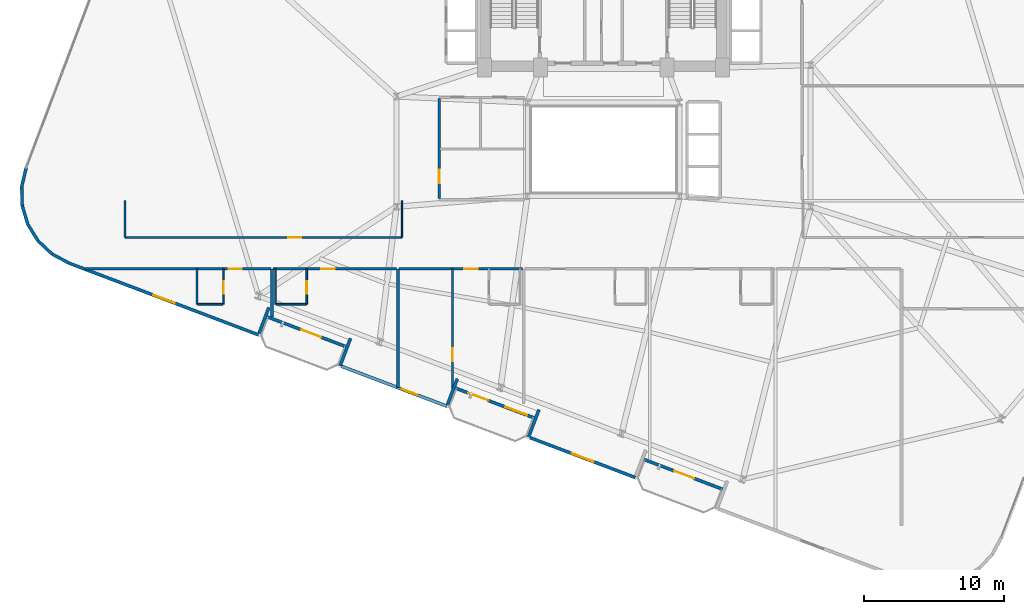
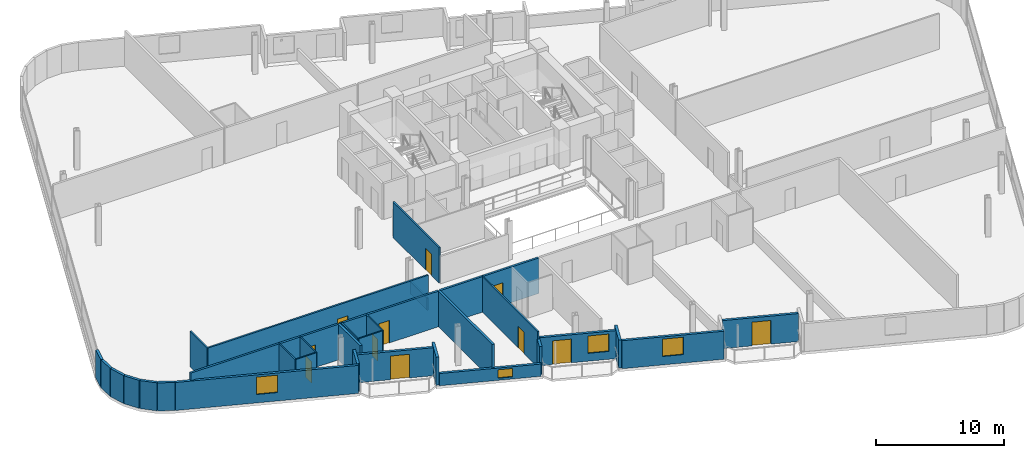
# One storey, part 18 of 25: 32 walls, 11 doors, 4 windows, 15 openings.
"""IFC4 building model written with IfcOpenShell, lengths in metres."""

from ifc_helpers import new_model, si_unit, direction, frame, frame_2d, origin, place, context, subcontext, project, spatial, rectangle, extrude, material, layer, layer_set, type_object, element, fill, save


model = new_model("IFC4")

# Units and contexts
model_context = context("Model", 3, precision=1e-05, world=origin(), true_north=direction((0.0, 1.0)))
body_context = subcontext(model_context, "Body", "Model", "MODEL_VIEW")
ifc_project = project(units=[si_unit("LENGTHUNIT", "METRE"), si_unit("AREAUNIT", "SQUARE_METRE"), si_unit("VOLUMEUNIT", "CUBIC_METRE"), si_unit("PLANEANGLEUNIT", "RADIAN"), si_unit("MASSUNIT", "GRAM", prefix="KILO")], contexts=[model_context])

# Site, building, storey
site_placement = place(None, origin())
site = spatial("IfcSite", under=ifc_project, at=site_placement, CompositionType="ELEMENT")
building_placement = place(site_placement, origin())
building = spatial("IfcBuilding", under=site, at=building_placement, Name="Varnelok Gate Tower", CompositionType="ELEMENT")
storey_placement = place(building_placement, frame((0.0, 0.0, 113.199951171875)))
storey = spatial("IfcBuildingStorey", under=building, at=storey_placement, Name="L28", CompositionType="ELEMENT", Elevation=113.199951171875)

# Wall, opening, door
ifc_material_1 = material(Name="Concrete C45/55", Category="concrete")
ifc_layer_1 = layer(ifc_material_1, 0.219970703125)
ifc_layer_set_1 = layer_set([ifc_layer_1], Name="Concrete C45/55")
wall_type_1 = type_object("IfcWallType", Name="EW-BALC-220", PredefinedType="SOLIDWALL", material=ifc_layer_set_1)
wall_1_placement = place(storey_placement, frame((20.766845703125, 8.80810546875, 0.0), z_axis=(0.0, 0.0, 1.0), x_axis=(-0.93521416643, 0.354082565101, 0.0)))
wall_1 = element("IfcWall", 1, at=wall_1_placement, inside=storey, type_object=wall_type_1, Name="L28 South Terrace Envelope Wall 1", PredefinedType="SOLIDWALL", context=body_context, shape_type="SweptSolid", body=[
    extrude(rectangle(XDim=6.0, YDim=0.219970703125, at=frame_2d((3.0, 0.0))), origin(), (0.0, 0.0, 1.0), 2.66015625),
])
opening_1_placement = place(wall_1_placement, frame((1.8798828125, 0.0, 0.0)))
opening_1 = element("IfcOpeningElement", 2, at=opening_1_placement, cuts=wall_1, Name="Opening BD-1", PredefinedType="OPENING", context=body_context, shape_type="SweptSolid", body=[
    extrude(rectangle(XDim=1.5, YDim=2.25, at=frame_2d((0.75, 1.125))), frame((0.0, 0.119873046875, 0.0), z_axis=(0.0, -1.0, 0.0), x_axis=(1.0, 0.0, 0.0)), (0.0, 0.0, 1.0), 0.239990234375),
])
ifc_material_2 = material(Name="Anodized Aluminum Alloy 6063-T6", Category="aluminium")
door_type_1 = type_object("IfcDoorType", Name="DR-EXT-BALC1500", OperationType="NOTDEFINED", PredefinedType="DOOR", material=ifc_material_2)
door_1_placement = place(opening_1_placement, origin())
door_1 = element("IfcDoor", 3, at=door_1_placement, inside=storey, type_object=door_type_1, Name="L28 South Balcony Glazed Door 1", OperationType="SINGLE_SWING_RIGHT", OverallHeight=2.25, OverallWidth=1.5, PredefinedType="DOOR", context=body_context, shape_type="SweptSolid", body=[
    extrude(rectangle(XDim=1.5, YDim=2.25, at=frame_2d((0.75, 1.125))), frame((0.0, 0.02490234375, 0.0), z_axis=(0.0, -1.0, 0.0), x_axis=(1.0, 0.0, 0.0)), (0.0, 0.0, 1.0), 0.050048828125),
])
fill(opening_1, door_1)

# Wall, openings, door, window
wall_2_placement = place(storey_placement, frame((34.23388671875, 3.709716796875, 0.0), z_axis=(0.0, 0.0, 1.0), x_axis=(-0.935222539288, 0.354060449652, 0.0)))
wall_2 = element("IfcWall", 4, at=wall_2_placement, inside=storey, type_object=wall_type_1, Name="L28 South Terrace Envelope Wall 2", PredefinedType="SOLIDWALL", context=body_context, shape_type="SweptSolid", body=[
    extrude(rectangle(XDim=5.999755859375, YDim=0.219970703125, at=frame_2d((3.0, 0.0))), origin(), (0.0, 0.0, 1.0), 2.66015625),
])
opening_2_placement = place(wall_2_placement, frame((3.508056640625, 0.0, 0.0)))
opening_2 = element("IfcOpeningElement", 5, at=opening_2_placement, cuts=wall_2, Name="Opening BD-1", PredefinedType="OPENING", context=body_context, shape_type="SweptSolid", body=[
    extrude(rectangle(XDim=1.5, YDim=2.25, at=frame_2d((0.75, 1.125))), frame((0.0, 0.119873046875, 0.0), z_axis=(0.0, -1.0, 0.0), x_axis=(1.0, 0.0, 0.0)), (0.0, 0.0, 1.0), 0.239990234375),
])
opening_3_placement = place(wall_2_placement, frame((0.550048828125, 0.0, 0.75)))
opening_3 = element("IfcOpeningElement", 6, at=opening_3_placement, cuts=wall_2, Name="Opening WN3", PredefinedType="OPENING", context=body_context, shape_type="SweptSolid", body=[
    extrude(rectangle(XDim=1.64990234375, YDim=1.64990234375, at=frame_2d((0.824951171875, 0.824951171875))), frame((0.0, 0.119873046875, 0.0), z_axis=(0.0, -1.0, 0.0), x_axis=(1.0, 0.0, 0.0)), (0.0, 0.0, 1.0), 0.239990234375),
])
door_2_placement = place(opening_2_placement, origin())
door_2 = element("IfcDoor", 7, at=door_2_placement, inside=storey, type_object=door_type_1, Name="L28 South Balcony Glazed Door 2", OperationType="SINGLE_SWING_LEFT", OverallHeight=2.25, OverallWidth=1.5, PredefinedType="DOOR", context=body_context, shape_type="SweptSolid", body=[
    extrude(rectangle(XDim=1.5, YDim=2.25, at=frame_2d((0.75, 1.125))), frame((0.0, 0.02490234375, 0.0), z_axis=(0.0, -1.0, 0.0), x_axis=(1.0, 0.0, 0.0)), (0.0, 0.0, 1.0), 0.050048828125),
])
fill(opening_2, door_2)
ifc_material_3 = material(Name="Low-E Laminated Double Glazing IGU", Category="glass")
window_type_1 = type_object("IfcWindowType", Name="WN-HTL-1650", PartitioningType="SINGLE_PANEL", PredefinedType="WINDOW", material=ifc_material_3)
window_1_placement = place(opening_3_placement, origin())
window_1 = element("IfcWindow", 8, at=window_1_placement, inside=storey, type_object=window_type_1, Name="L28 South Vision Window 2.1", OverallHeight=1.64990234375, OverallWidth=1.64990234375, PartitioningType="SINGLE_PANEL", PredefinedType="WINDOW", context=body_context, shape_type="SweptSolid", body=[
    extrude(rectangle(XDim=1.64990234375, YDim=1.64990234375, at=frame_2d((0.824951171875, 0.824951171875))), frame((0.0, 0.030029296875, 0.0), z_axis=(0.0, -1.0, 0.0), x_axis=(1.0, 0.0, 0.0)), (0.0, 0.0, 1.0), 0.06005859375),
])
fill(opening_3, window_1)

# Wall, opening, door
wall_3_placement = place(storey_placement, frame((47.701171875, -1.388916015625, 0.0), z_axis=(0.0, 0.0, 1.0), x_axis=(-0.93521416643, 0.354082565101, 0.0)))
wall_3 = element("IfcWall", 9, at=wall_3_placement, inside=storey, type_object=wall_type_1, Name="L28 South Terrace Envelope Wall 3", PredefinedType="SOLIDWALL", context=body_context, shape_type="SweptSolid", body=[
    extrude(rectangle(XDim=6.0, YDim=0.219970703125, at=frame_2d((3.0, 0.0))), origin(), (0.0, 0.0, 1.0), 2.66015625),
])
opening_4_placement = place(wall_3_placement, frame((2.176025390625, 0.0, 0.0)))
opening_4 = element("IfcOpeningElement", 10, at=opening_4_placement, cuts=wall_3, Name="Opening BD-1", PredefinedType="OPENING", context=body_context, shape_type="SweptSolid", body=[
    extrude(rectangle(XDim=1.5, YDim=2.25, at=frame_2d((0.75, 1.125))), frame((0.0, 0.119873046875, 0.0), z_axis=(0.0, -1.0, 0.0), x_axis=(1.0, 0.0, 0.0)), (0.0, 0.0, 1.0), 0.239990234375),
])
door_3_placement = place(opening_4_placement, origin())
door_3 = element("IfcDoor", 11, at=door_3_placement, inside=storey, type_object=door_type_1, Name="L28 South Balcony Glazed Door 3", OperationType="SINGLE_SWING_RIGHT", OverallHeight=2.25, OverallWidth=1.5, PredefinedType="DOOR", context=body_context, shape_type="SweptSolid", body=[
    extrude(rectangle(XDim=1.5, YDim=2.25, at=frame_2d((0.75, 1.125))), frame((0.0, 0.02490234375, 0.0), z_axis=(0.0, -1.0, 0.0), x_axis=(1.0, 0.0, 0.0)), (0.0, 0.0, 1.0), 0.050048828125),
])
fill(opening_4, door_3)

# Walls
wall_4_placement = place(storey_placement, frame((-2.072509765625, 21.571533203125, 0.0), z_axis=(0.0, 0.0, 1.0), x_axis=(-0.229049207401, -0.973414845063, 0.0)))
element("IfcWall", 12, at=wall_4_placement, inside=storey, type_object=wall_type_1, Name="L28 Perimeter Facade Closure Wall 1", PredefinedType="SOLIDWALL", context=body_context, shape_type="SweptSolid", body=[
    extrude(rectangle(XDim=1.378173828125, YDim=0.219970703125, at=frame_2d((0.68896484375, 0.0))), origin(), (0.0, 0.0, 1.0), 2.66015625),
])
wall_5_placement = place(storey_placement, frame((-2.387451171875, 20.205078125, 0.0), z_axis=(0.0, 0.0, 1.0), x_axis=(0.030857297317, -0.999523800218, 0.0)))
element("IfcWall", 13, at=wall_5_placement, inside=storey, type_object=wall_type_1, Name="L28 Perimeter Facade Closure Wall 2", PredefinedType="SOLIDWALL", context=body_context, shape_type="SweptSolid", body=[
    extrude(rectangle(XDim=1.35302734375, YDim=0.219970703125, at=frame_2d((0.676513671875, 0.0))), origin(), (0.0, 0.0, 1.0), 2.66015625),
])
wall_6_placement = place(storey_placement, frame((-2.33837890625, 18.82861328125, 0.0), z_axis=(0.0, 0.0, 1.0), x_axis=(0.288374187109, -0.957517795244, 0.0)))
element("IfcWall", 14, at=wall_6_placement, inside=storey, type_object=wall_type_1, Name="L28 Perimeter Facade Closure Wall 3", PredefinedType="SOLIDWALL", context=body_context, shape_type="SweptSolid", body=[
    extrude(rectangle(XDim=1.352783203125, YDim=0.219970703125, at=frame_2d((0.67626953125, 0.0))), origin(), (0.0, 0.0, 1.0), 2.66015625),
])
wall_7_placement = place(storey_placement, frame((-1.93505859375, 17.511962890625, 0.0), z_axis=(0.0, 0.0, 1.0), x_axis=(0.526360826676, -0.850261301096, 0.0)))
element("IfcWall", 15, at=wall_7_placement, inside=storey, type_object=wall_type_1, Name="L28 Perimeter Facade Closure Wall 4", PredefinedType="SOLIDWALL", context=body_context, shape_type="SweptSolid", body=[
    extrude(rectangle(XDim=1.35302734375, YDim=0.219970703125, at=frame_2d((0.676513671875, 0.0))), origin(), (0.0, 0.0, 1.0), 2.66015625),
])
wall_8_placement = place(storey_placement, frame((-1.20458984375, 16.344482421875, 0.0), z_axis=(0.0, 0.0, 1.0), x_axis=(0.7285124142, -0.685032599484, 0.0)))
element("IfcWall", 16, at=wall_8_placement, inside=storey, type_object=wall_type_1, Name="L28 Perimeter Facade Closure Wall 5", PredefinedType="SOLIDWALL", context=body_context, shape_type="SweptSolid", body=[
    extrude(rectangle(XDim=1.353271484375, YDim=0.219970703125, at=frame_2d((0.6767578125, 0.0))), origin(), (0.0, 0.0, 1.0), 2.66015625),
])
wall_9_placement = place(storey_placement, frame((-0.19677734375, 15.405517578125, 0.0), z_axis=(0.0, 0.0, 1.0), x_axis=(0.881023507585, -0.47307248819, 0.0)))
element("IfcWall", 17, at=wall_9_placement, inside=storey, type_object=wall_type_1, Name="L28 Perimeter Facade Closure Wall 6", PredefinedType="SOLIDWALL", context=body_context, shape_type="SweptSolid", body=[
    extrude(rectangle(XDim=1.36083984375, YDim=0.219970703125, at=frame_2d((0.680419921875, 0.0))), origin(), (0.0, 0.0, 1.0), 2.66015625),
])

# Wall, opening, window
wall_10_placement = place(storey_placement, frame((1.025634765625, 14.7529296875, 0.0), z_axis=(0.0, 0.0, 1.0), x_axis=(0.935222448475, -0.354060689526, 0.0)))
wall_10 = element("IfcWall", 18, at=wall_10_placement, inside=storey, type_object=wall_type_1, Name="L28 Perimeter Facade Closure Wall 7", PredefinedType="SOLIDWALL", context=body_context, shape_type="SweptSolid", body=[
    extrude(rectangle(XDim=14.447265625, YDim=0.219970703125, at=frame_2d((7.2236328125, 0.0))), origin(), (0.0, 0.0, 1.0), 2.66015625),
])
opening_5_placement = place(wall_10_placement, frame((6.398681640625, 0.0, 0.800048828125)))
opening_5 = element("IfcOpeningElement", 19, at=opening_5_placement, cuts=wall_10, Name="Opening WN3", PredefinedType="OPENING", context=body_context, shape_type="SweptSolid", body=[
    extrude(rectangle(XDim=1.64990234375, YDim=1.64990234375, at=frame_2d((0.824951171875, 0.824951171875))), frame((0.0, 0.119873046875, 0.0), z_axis=(0.0, -1.0, 0.0), x_axis=(1.0, 0.0, 0.0)), (0.0, 0.0, 1.0), 0.239990234375),
])
window_2_placement = place(opening_5_placement, origin())
window_2 = element("IfcWindow", 20, at=window_2_placement, inside=storey, type_object=window_type_1, Name="L28 Perimeter Vision Window 7", OverallHeight=1.64990234375, OverallWidth=1.64990234375, PartitioningType="SINGLE_PANEL", PredefinedType="WINDOW", context=body_context, shape_type="SweptSolid", body=[
    extrude(rectangle(XDim=1.64990234375, YDim=1.64990234375, at=frame_2d((0.824951171875, 0.824951171875))), frame((0.0, 0.030029296875, 0.0), z_axis=(0.0, -1.0, 0.0), x_axis=(1.0, 0.0, 0.0)), (0.0, 0.0, 1.0), 0.06005859375),
])
fill(opening_5, window_2)

# Walls
wall_11_placement = place(storey_placement, frame((14.581298828125, 9.754638671875, 0.0), z_axis=(0.0, 0.0, 1.0), x_axis=(0.354061611705, 0.935222099352, 0.0)))
element("IfcWall", 21, at=wall_11_placement, inside=storey, type_object=wall_type_1, Name="L28 Perimeter Facade Closure Wall 8", PredefinedType="SOLIDWALL", context=body_context, shape_type="SweptSolid", body=[
    extrude(rectangle(XDim=1.974853515625, YDim=0.219970703125, at=frame_2d((0.9873046875, 0.0))), origin(), (0.0, 0.0, 1.0), 2.66015625),
])
wall_12_placement = place(storey_placement, frame((21.1162109375, 9.392333984375, 0.0), z_axis=(0.0, 0.0, 1.0), x_axis=(-0.353988291547, -0.935249854022, 0.0)))
element("IfcWall", 22, at=wall_12_placement, inside=storey, type_object=wall_type_1, Name="L28 Perimeter Facade Closure Wall 9", PredefinedType="SOLIDWALL", context=body_context, shape_type="SweptSolid", body=[
    extrude(rectangle(XDim=2.10009765625, YDim=0.219970703125, at=frame_2d((1.050048828125, 0.0))), origin(), (0.0, 0.0, 1.0), 2.66015625),
])

# Wall, opening, window
wall_13_placement = place(storey_placement, frame((20.489501953125, 7.384033203125, 0.0), z_axis=(0.0, 0.0, 1.0), x_axis=(0.935230796934, -0.354038636968, 0.0)))
wall_13 = element("IfcWall", 23, at=wall_13_placement, inside=storey, type_object=wall_type_1, Name="L28 Perimeter Facade Closure Wall 10", PredefinedType="SOLIDWALL", context=body_context, shape_type="SweptSolid", body=[
    extrude(rectangle(XDim=8.03515625, YDim=0.219970703125, at=frame_2d((4.017578125, 0.0))), origin(), (0.0, 0.0, 1.0), 1.1650390625),
])
opening_6_placement = place(wall_13_placement, frame((4.62158203125, 0.0, 0.199951171875)))
opening_6 = element("IfcOpeningElement", 24, at=opening_6_placement, cuts=wall_13, Name="Opening WN9", PredefinedType="OPENING", context=body_context, shape_type="SweptSolid", body=[
    extrude(rectangle(XDim=1.14990234375, YDim=0.800048828125, at=frame_2d((0.574951171875, 0.39990234375))), frame((0.0, 0.119873046875, 0.0), z_axis=(0.0, -1.0, 0.0), x_axis=(1.0, 0.0, 0.0)), (0.0, 0.0, 1.0), 0.239990234375),
])
window_type_2 = type_object("IfcWindowType", Name="WN-CLER-1150", PartitioningType="SINGLE_PANEL", PredefinedType="WINDOW", material=ifc_material_3)
window_3_placement = place(opening_6_placement, origin())
window_3 = element("IfcWindow", 25, at=window_3_placement, inside=storey, type_object=window_type_2, Name="L28 Bedroom Vision Window 14", OverallHeight=0.800048828125, OverallWidth=1.14990234375, PartitioningType="SINGLE_PANEL", PredefinedType="WINDOW", context=body_context, shape_type="SweptSolid", body=[
    extrude(rectangle(XDim=1.14990234375, YDim=0.800048828125, at=frame_2d((0.574951171875, 0.39990234375))), frame((0.0, 0.030029296875, 0.0), z_axis=(0.0, -1.0, 0.0), x_axis=(1.0, 0.0, 0.0)), (0.0, 0.0, 1.0), 0.06005859375),
])
fill(opening_6, window_3)

# Walls
wall_14_placement = place(storey_placement, frame((28.04833984375, 4.656005859375, 0.0), z_axis=(0.0, 0.0, 1.0), x_axis=(0.354128791944, 0.935196663123, 0.0)))
element("IfcWall", 26, at=wall_14_placement, inside=storey, type_object=wall_type_1, Name="L28 Perimeter Facade Closure Wall 11", PredefinedType="SOLIDWALL", context=body_context, shape_type="SweptSolid", body=[
    extrude(rectangle(XDim=1.97509765625, YDim=0.219970703125, at=frame_2d((0.987548828125, 0.0))), origin(), (0.0, 0.0, 1.0), 2.66015625),
])
wall_15_placement = place(storey_placement, frame((34.58349609375, 4.293701171875, 0.0), z_axis=(0.0, 0.0, 1.0), x_axis=(-0.354128469405, -0.935196785258, 0.0)))
element("IfcWall", 27, at=wall_15_placement, inside=storey, type_object=wall_type_1, Name="L28 Perimeter Facade Closure Wall 12", PredefinedType="SOLIDWALL", context=body_context, shape_type="SweptSolid", body=[
    extrude(rectangle(XDim=2.099853515625, YDim=0.219970703125, at=frame_2d((1.0498046875, 0.0))), origin(), (0.0, 0.0, 1.0), 2.66015625),
])

# Wall, opening, window
wall_16_placement = place(storey_placement, frame((33.956787109375, 2.28564453125, 0.0), z_axis=(0.0, 0.0, 1.0), x_axis=(0.935220736163, -0.354065212427, 0.0)))
wall_16 = element("IfcWall", 28, at=wall_16_placement, inside=storey, type_object=wall_type_1, Name="L28 Perimeter Facade Closure Wall 13", PredefinedType="SOLIDWALL", context=body_context, shape_type="SweptSolid", body=[
    extrude(rectangle(XDim=8.03515625, YDim=0.219970703125, at=frame_2d((4.017578125, 0.0))), origin(), (0.0, 0.0, 1.0), 2.66015625),
])
opening_7_placement = place(wall_16_placement, frame((3.1923828125, 0.0, 0.800048828125)))
opening_7 = element("IfcOpeningElement", 29, at=opening_7_placement, cuts=wall_16, Name="Opening WN3", PredefinedType="OPENING", context=body_context, shape_type="SweptSolid", body=[
    extrude(rectangle(XDim=1.64990234375, YDim=1.64990234375, at=frame_2d((0.824951171875, 0.824951171875))), frame((0.0, 0.119873046875, 0.0), z_axis=(0.0, -1.0, 0.0), x_axis=(1.0, 0.0, 0.0)), (0.0, 0.0, 1.0), 0.239990234375),
])
window_4_placement = place(opening_7_placement, origin())
window_4 = element("IfcWindow", 30, at=window_4_placement, inside=storey, type_object=window_type_1, Name="L28 Perimeter Vision Window 13", OverallHeight=1.64990234375, OverallWidth=1.64990234375, PartitioningType="SINGLE_PANEL", PredefinedType="WINDOW", context=body_context, shape_type="SweptSolid", body=[
    extrude(rectangle(XDim=1.64990234375, YDim=1.64990234375, at=frame_2d((0.824951171875, 0.824951171875))), frame((0.0, 0.030029296875, 0.0), z_axis=(0.0, -1.0, 0.0), x_axis=(1.0, 0.0, 0.0)), (0.0, 0.0, 1.0), 0.06005859375),
])
fill(opening_7, window_4)

# Wall, opening, door
ifc_material_4 = material(Name="Gypsum Plasterboard Acoustic Partition", Category="gypsum")
ifc_layer_2 = layer(ifc_material_4, 0.179931640625)
ifc_layer_set_2 = layer_set([ifc_layer_2], Name="Gypsum Plasterboard Acoustic Partition")
wall_type_2 = type_object("IfcWallType", Name="PW-CORR-180", PredefinedType="PARTITIONING", material=ifc_layer_set_2)
wall_17_placement = place(storey_placement, frame((2.146240234375, 14.35009765625, 0.0), z_axis=(0.0, 0.0, 1.0), x_axis=(1.0, 0.0, 0.0)))
wall_17 = element("IfcWall", 31, at=wall_17_placement, inside=storey, type_object=wall_type_2, Name="Interior Partition", PredefinedType="PARTITIONING", context=body_context, shape_type="SweptSolid", body=[
    extrude(rectangle(XDim=13.273681640625, YDim=0.179931640625, at=frame_2d((6.63671875, 0.0))), origin(), (0.0, 0.0, 1.0), 3.380126953125),
])
opening_8_placement = place(wall_17_placement, frame((10.24951171875, 0.0, 0.0)))
opening_8 = element("IfcOpeningElement", 32, at=opening_8_placement, cuts=wall_17, Name="Opening D-HT", PredefinedType="OPENING", context=body_context, shape_type="SweptSolid", body=[
    extrude(rectangle(XDim=0.949951171875, YDim=2.14990234375, at=frame_2d((0.47509765625, 1.074951171875))), frame((0.0, 0.099853515625, 0.0), z_axis=(0.0, -1.0, 0.0), x_axis=(1.0, 0.0, 0.0)), (0.0, 0.0, 1.0), 0.199951171875),
])
ifc_material_5 = material(Name="Engineered Hardwood Timber", Category="wood")
door_type_2 = type_object("IfcDoorType", Name="DR-HTL-950", OperationType="NOTDEFINED", PredefinedType="DOOR", material=ifc_material_5)
door_4_placement = place(opening_8_placement, origin())
door_4 = element("IfcDoor", 33, at=door_4_placement, inside=storey, type_object=door_type_2, Name="L28 Guest Room 01 Entrance Door", OperationType="SINGLE_SWING_RIGHT", OverallHeight=2.14990234375, OverallWidth=0.949951171875, PredefinedType="DOOR", context=body_context, shape_type="SweptSolid", body=[
    extrude(rectangle(XDim=0.949951171875, YDim=2.14990234375, at=frame_2d((0.47509765625, 1.074951171875))), frame((0.0, 0.02490234375, 0.0), z_axis=(0.0, -1.0, 0.0), x_axis=(1.0, 0.0, 0.0)), (0.0, 0.0, 1.0), 0.050048828125),
])
fill(opening_8, door_4)

wall_18_placement = place(storey_placement, frame((15.580078125, 14.35009765625, 0.0), z_axis=(0.0, 0.0, 1.0), x_axis=(1.0, 0.0, 0.0)))
wall_18 = element("IfcWall", 34, at=wall_18_placement, inside=storey, type_object=wall_type_2, Name="Interior Partition", PredefinedType="PARTITIONING", context=body_context, shape_type="SweptSolid", body=[
    extrude(rectangle(XDim=8.83984375, YDim=0.179931640625, at=frame_2d((4.419921875, 0.0))), origin(), (0.0, 0.0, 1.0), 3.380126953125),
])
opening_9_placement = place(wall_18_placement, frame((3.453369140625, 0.0, 0.0)))
opening_9 = element("IfcOpeningElement", 35, at=opening_9_placement, cuts=wall_18, Name="Opening D-HT", PredefinedType="OPENING", context=body_context, shape_type="SweptSolid", body=[
    extrude(rectangle(XDim=0.949951171875, YDim=2.14990234375, at=frame_2d((0.47509765625, 1.074951171875))), frame((0.0, 0.099853515625, 0.0), z_axis=(0.0, -1.0, 0.0), x_axis=(1.0, 0.0, 0.0)), (0.0, 0.0, 1.0), 0.199951171875),
])
door_5_placement = place(opening_9_placement, origin())
door_5 = element("IfcDoor", 36, at=door_5_placement, inside=storey, type_object=door_type_2, Name="L28 Guest Room 02 Entrance Door", OperationType="SINGLE_SWING_LEFT", OverallHeight=2.14990234375, OverallWidth=0.949951171875, PredefinedType="DOOR", context=body_context, shape_type="SweptSolid", body=[
    extrude(rectangle(XDim=0.949951171875, YDim=2.14990234375, at=frame_2d((0.47509765625, 1.074951171875))), frame((0.0, 0.02490234375, 0.0), z_axis=(0.0, -1.0, 0.0), x_axis=(1.0, 0.0, 0.0)), (0.0, 0.0, 1.0), 0.050048828125),
])
fill(opening_9, door_5)

wall_19_placement = place(storey_placement, frame((24.580078125, 14.35009765625, 0.0), z_axis=(0.0, 0.0, 1.0), x_axis=(1.0, 0.0, 0.0)))
wall_19 = element("IfcWall", 37, at=wall_19_placement, inside=storey, type_object=wall_type_2, Name="Interior Partition", PredefinedType="PARTITIONING", context=body_context, shape_type="SweptSolid", body=[
    extrude(rectangle(XDim=8.83984375, YDim=0.179931640625, at=frame_2d((4.419921875, 0.0))), origin(), (0.0, 0.0, 1.0), 3.380126953125),
])
opening_10_placement = place(wall_19_placement, frame((4.679931640625, 0.0, 0.0)))
opening_10 = element("IfcOpeningElement", 38, at=opening_10_placement, cuts=wall_19, Name="Opening D-HT", PredefinedType="OPENING", context=body_context, shape_type="SweptSolid", body=[
    extrude(rectangle(XDim=0.949951171875, YDim=2.14990234375, at=frame_2d((0.47509765625, 1.074951171875))), frame((0.0, 0.099853515625, 0.0), z_axis=(0.0, -1.0, 0.0), x_axis=(1.0, 0.0, 0.0)), (0.0, 0.0, 1.0), 0.199951171875),
])
door_6_placement = place(opening_10_placement, origin())
door_6 = element("IfcDoor", 39, at=door_6_placement, inside=storey, type_object=door_type_2, Name="L28 Guest Room 03 Entrance Door", OperationType="SINGLE_SWING_RIGHT", OverallHeight=2.14990234375, OverallWidth=0.949951171875, PredefinedType="DOOR", context=body_context, shape_type="SweptSolid", body=[
    extrude(rectangle(XDim=0.949951171875, YDim=2.14990234375, at=frame_2d((0.47509765625, 1.074951171875))), frame((0.0, 0.02490234375, 0.0), z_axis=(0.0, -1.0, 0.0), x_axis=(1.0, 0.0, 0.0)), (0.0, 0.0, 1.0), 0.050048828125),
])
fill(opening_10, door_6)

# Wall
ifc_layer_3 = layer(ifc_material_4, 0.114990234375)
ifc_layer_set_3 = layer_set([ifc_layer_3], Name="Gypsum Plasterboard Acoustic Partition")
wall_type_3 = type_object("IfcWallType", Name="PW-ENS-125", PredefinedType="PARTITIONING", material=ifc_layer_set_3)
wall_20_placement = place(storey_placement, frame((10.179931640625, 11.830078125, 0.0), z_axis=(0.0, 0.0, 1.0), x_axis=(1.0, 0.0, 0.0)))
element("IfcWall", 40, at=wall_20_placement, inside=storey, type_object=wall_type_3, Name="Interior Partition", PredefinedType="PARTITIONING", context=body_context, shape_type="SweptSolid", body=[
    extrude(rectangle(XDim=1.807373046875, YDim=0.114990234375, at=frame_2d((0.90380859375, 0.0))), origin(), (0.0, 0.0, 1.0), 3.380126953125),
])

# Wall, opening, door
wall_21_placement = place(storey_placement, frame((12.027099609375, 11.830078125, 0.0), z_axis=(0.0, 0.0, 1.0), x_axis=(0.0, 1.0, 0.0)))
wall_21 = element("IfcWall", 41, at=wall_21_placement, inside=storey, type_object=wall_type_3, Name="Interior Partition", PredefinedType="PARTITIONING", context=body_context, shape_type="SweptSolid", body=[
    extrude(rectangle(XDim=2.52001953125, YDim=0.114990234375, at=frame_2d((1.260009765625, 0.0))), origin(), (0.0, 0.0, 1.0), 3.380126953125),
])
opening_11_placement = place(wall_21_placement, frame((0.760009765625, 0.0, 0.0)))
opening_11 = element("IfcOpeningElement", 42, at=opening_11_placement, cuts=wall_21, Name="Opening D-WC", PredefinedType="OPENING", context=body_context, shape_type="SweptSolid", body=[
    extrude(rectangle(XDim=0.89990234375, YDim=2.050048828125, at=frame_2d((0.449951171875, 1.02490234375))), frame((0.0, 0.0673828125, 0.0), z_axis=(0.0, -1.0, 0.0), x_axis=(1.0, 0.0, 0.0)), (0.0, 0.0, 1.0), 0.135009765625),
])
door_type_3 = type_object("IfcDoorType", Name="DR-BATH-900", OperationType="NOTDEFINED", PredefinedType="DOOR", material=ifc_material_5)
door_7_placement = place(opening_11_placement, origin())
door_7 = element("IfcDoor", 43, at=door_7_placement, inside=storey, type_object=door_type_3, Name="L28 Guest En-Suite 01 Door", OperationType="SINGLE_SWING_LEFT", OverallHeight=2.050048828125, OverallWidth=0.89990234375, PredefinedType="DOOR", context=body_context, shape_type="SweptSolid", body=[
    extrude(rectangle(XDim=0.89990234375, YDim=2.050048828125, at=frame_2d((0.449951171875, 1.02490234375))), frame((0.0, 0.02490234375, 0.0), z_axis=(0.0, -1.0, 0.0), x_axis=(1.0, 0.0, 0.0)), (0.0, 0.0, 1.0), 0.050048828125),
])
fill(opening_11, door_7)

# Walls
wall_22_placement = place(storey_placement, frame((10.139892578125, 11.830078125, 0.0), z_axis=(0.0, 0.0, 1.0), x_axis=(0.0, 1.0, 0.0)))
element("IfcWall", 44, at=wall_22_placement, inside=storey, type_object=wall_type_3, Name="Interior Partition", PredefinedType="PARTITIONING", context=body_context, shape_type="SweptSolid", body=[
    extrude(rectangle(XDim=2.52001953125, YDim=0.114990234375, at=frame_2d((1.260009765625, 0.0))), origin(), (0.0, 0.0, 1.0), 3.380126953125),
])
wall_23_placement = place(storey_placement, frame((15.800048828125, 11.830078125, 0.0), z_axis=(0.0, 0.0, 1.0), x_axis=(1.0, 0.0, 0.0)))
element("IfcWall", 45, at=wall_23_placement, inside=storey, type_object=wall_type_3, Name="Interior Partition", PredefinedType="PARTITIONING", context=body_context, shape_type="SweptSolid", body=[
    extrude(rectangle(XDim=2.14990234375, YDim=0.114990234375, at=frame_2d((1.074951171875, 0.0))), origin(), (0.0, 0.0, 1.0), 3.380126953125),
])

# Wall, opening, door
wall_24_placement = place(storey_placement, frame((17.989990234375, 11.830078125, 0.0), z_axis=(0.0, 0.0, 1.0), x_axis=(0.0, 1.0, 0.0)))
wall_24 = element("IfcWall", 46, at=wall_24_placement, inside=storey, type_object=wall_type_3, Name="Interior Partition", PredefinedType="PARTITIONING", context=body_context, shape_type="SweptSolid", body=[
    extrude(rectangle(XDim=2.52001953125, YDim=0.114990234375, at=frame_2d((1.260009765625, 0.0))), origin(), (0.0, 0.0, 1.0), 3.380126953125),
])
opening_12_placement = place(wall_24_placement, frame((0.760009765625, 0.0, 0.0)))
opening_12 = element("IfcOpeningElement", 47, at=opening_12_placement, cuts=wall_24, Name="Opening D-WC", PredefinedType="OPENING", context=body_context, shape_type="SweptSolid", body=[
    extrude(rectangle(XDim=0.89990234375, YDim=2.050048828125, at=frame_2d((0.449951171875, 1.02490234375))), frame((0.0, 0.0673828125, 0.0), z_axis=(0.0, -1.0, 0.0), x_axis=(1.0, 0.0, 0.0)), (0.0, 0.0, 1.0), 0.135009765625),
])
door_8_placement = place(opening_12_placement, origin())
door_8 = element("IfcDoor", 48, at=door_8_placement, inside=storey, type_object=door_type_3, Name="L28 Guest En-Suite 02 Door", OperationType="SINGLE_SWING_LEFT", OverallHeight=2.050048828125, OverallWidth=0.89990234375, PredefinedType="DOOR", context=body_context, shape_type="SweptSolid", body=[
    extrude(rectangle(XDim=0.89990234375, YDim=2.050048828125, at=frame_2d((0.449951171875, 1.02490234375))), frame((0.0, 0.02490234375, 0.0), z_axis=(0.0, -1.0, 0.0), x_axis=(1.0, 0.0, 0.0)), (0.0, 0.0, 1.0), 0.050048828125),
])
fill(opening_12, door_8)

# Walls
wall_25_placement = place(storey_placement, frame((15.760009765625, 11.830078125, 0.0), z_axis=(0.0, 0.0, 1.0), x_axis=(0.0, 1.0, 0.0)))
element("IfcWall", 49, at=wall_25_placement, inside=storey, type_object=wall_type_3, Name="Interior Partition", PredefinedType="PARTITIONING", context=body_context, shape_type="SweptSolid", body=[
    extrude(rectangle(XDim=2.52001953125, YDim=0.114990234375, at=frame_2d((1.260009765625, 0.0))), origin(), (0.0, 0.0, 1.0), 3.380126953125),
])
ifc_layer_4 = layer(ifc_material_4, 0.125)
ifc_layer_set_4 = layer_set([ifc_layer_4], Name="Gypsum Plasterboard Acoustic Partition")
wall_type_4 = type_object("IfcWallType", Name="PW-PART-125", PredefinedType="PARTITIONING", material=ifc_layer_set_4)
wall_26_placement = place(storey_placement, frame((5.0, 16.610107421875, 0.0), z_axis=(0.0, 0.0, 1.0), x_axis=(0.0, 1.0, 0.0)))
element("IfcWall", 50, at=wall_26_placement, inside=storey, type_object=wall_type_4, Name="Interior Partition", PredefinedType="PARTITIONING", context=body_context, shape_type="SweptSolid", body=[
    extrude(rectangle(XDim=2.6298828125, YDim=0.125, at=frame_2d((1.31494140625, 0.0))), origin(), (0.0, 0.0, 1.0), 3.380126953125),
])
wall_27_placement = place(storey_placement, frame((24.800048828125, 16.610107421875, 0.0), z_axis=(0.0, 0.0, 1.0), x_axis=(0.0, 1.0, 0.0)))
element("IfcWall", 51, at=wall_27_placement, inside=storey, type_object=wall_type_4, Name="Interior Partition", PredefinedType="PARTITIONING", context=body_context, shape_type="SweptSolid", body=[
    extrude(rectangle(XDim=2.6298828125, YDim=0.125, at=frame_2d((1.31494140625, 0.0))), origin(), (0.0, 0.0, 1.0), 1.1650390625),
])

# Wall, opening, door
wall_28_placement = place(storey_placement, frame((28.39990234375, 5.641357421875, 0.0), z_axis=(0.0, 0.0, 1.0), x_axis=(0.0, 1.0, 0.0)))
wall_28 = element("IfcWall", 52, at=wall_28_placement, inside=storey, type_object=wall_type_4, Name="Interior Partition", PredefinedType="PARTITIONING", context=body_context, shape_type="SweptSolid", body=[
    extrude(rectangle(XDim=8.708740234375, YDim=0.125, at=frame_2d((4.3544921875, 0.0))), origin(), (0.0, 0.0, 1.0), 3.380126953125),
])
opening_13_placement = place(wall_28_placement, frame((2.12548828125, 0.0, 0.0)))
opening_13 = element("IfcOpeningElement", 53, at=opening_13_placement, cuts=wall_28, Name="Opening D-I3", PredefinedType="OPENING", context=body_context, shape_type="SweptSolid", body=[
    extrude(rectangle(XDim=0.919921875, YDim=2.050048828125, at=frame_2d((0.4599609375, 1.02490234375))), frame((0.0, 0.072509765625, 0.0), z_axis=(0.0, -1.0, 0.0), x_axis=(1.0, 0.0, 0.0)), (0.0, 0.0, 1.0), 0.14501953125),
])
door_type_4 = type_object("IfcDoorType", Name="DR-INT-920", OperationType="NOTDEFINED", PredefinedType="DOOR", material=ifc_material_5)
door_9_placement = place(opening_13_placement, origin())
door_9 = element("IfcDoor", 54, at=door_9_placement, inside=storey, type_object=door_type_4, Name="L28 Suite Bedroom Door 3", OperationType="SINGLE_SWING_LEFT", OverallHeight=2.050048828125, OverallWidth=0.919921875, PredefinedType="DOOR", context=body_context, shape_type="SweptSolid", body=[
    extrude(rectangle(XDim=0.919921875, YDim=2.050048828125, at=frame_2d((0.4599609375, 1.02490234375))), frame((0.0, 0.02490234375, 0.0), z_axis=(0.0, -1.0, 0.0), x_axis=(1.0, 0.0, 0.0)), (0.0, 0.0, 1.0), 0.050048828125),
])
fill(opening_13, door_9)

ifc_layer_5 = layer(ifc_material_4, 0.14990234375)
ifc_layer_set_5 = layer_set([ifc_layer_5], Name="Gypsum Plasterboard Acoustic Partition")
wall_type_5 = type_object("IfcWallType", Name="PW-PART-150", PredefinedType="PARTITIONING", material=ifc_layer_set_5)
wall_29_placement = place(storey_placement, frame((5.0, 16.610107421875, 0.0), z_axis=(0.0, 0.0, 1.0), x_axis=(1.0, 0.0, 0.0)))
wall_29 = element("IfcWall", 55, at=wall_29_placement, inside=storey, type_object=wall_type_5, Name="Interior Partition", PredefinedType="PARTITIONING", context=body_context, shape_type="SweptSolid", body=[
    extrude(rectangle(XDim=19.800048828125, YDim=0.14990234375, at=frame_2d((9.89990234375, 0.0))), origin(), (0.0, 0.0, 1.0), 3.380126953125),
])
opening_14_placement = place(wall_29_placement, frame((11.659912109375, 0.0, 0.0)))
opening_14 = element("IfcOpeningElement", 56, at=opening_14_placement, cuts=wall_29, Name="Opening D-I3", PredefinedType="OPENING", context=body_context, shape_type="SweptSolid", body=[
    extrude(rectangle(XDim=0.919921875, YDim=2.050048828125, at=frame_2d((0.4599609375, 1.02490234375))), frame((0.0, 0.0849609375, 0.0), z_axis=(0.0, -1.0, 0.0), x_axis=(1.0, 0.0, 0.0)), (0.0, 0.0, 1.0), 0.169921875),
])
door_10_placement = place(opening_14_placement, origin())
door_10 = element("IfcDoor", 57, at=door_10_placement, inside=storey, type_object=door_type_4, Name="L28 Atrium Room 1 Door", OperationType="SINGLE_SWING_LEFT", OverallHeight=2.050048828125, OverallWidth=0.919921875, PredefinedType="DOOR", context=body_context, shape_type="SweptSolid", body=[
    extrude(rectangle(XDim=0.919921875, YDim=2.050048828125, at=frame_2d((0.4599609375, 1.02490234375))), frame((0.0, 0.02490234375, 0.0), z_axis=(0.0, -1.0, 0.0), x_axis=(1.0, 0.0, 0.0)), (0.0, 0.0, 1.0), 0.050048828125),
])
fill(opening_14, door_10)

wall_30_placement = place(storey_placement, frame((27.4599609375, 19.3798828125, 0.0), z_axis=(0.0, 0.0, 1.0), x_axis=(0.0, 1.0, 0.0)))
wall_30 = element("IfcWall", 58, at=wall_30_placement, inside=storey, type_object=wall_type_5, Name="Interior Partition", PredefinedType="PARTITIONING", context=body_context, shape_type="SweptSolid", body=[
    extrude(rectangle(XDim=7.16015625, YDim=0.14990234375, at=frame_2d((3.580078125, 0.0))), origin(), (0.0, 0.0, 1.0), 3.380126953125),
])
opening_15_placement = place(wall_30_placement, frame((1.10009765625, 0.0, 0.0)))
opening_15 = element("IfcOpeningElement", 59, at=opening_15_placement, cuts=wall_30, Name="Opening D-I2", PredefinedType="OPENING", context=body_context, shape_type="SweptSolid", body=[
    extrude(rectangle(XDim=0.949951171875, YDim=2.050048828125, at=frame_2d((0.47509765625, 1.02490234375))), frame((0.0, 0.0849609375, 0.0), z_axis=(0.0, -1.0, 0.0), x_axis=(1.0, 0.0, 0.0)), (0.0, 0.0, 1.0), 0.169921875),
])
door_type_5 = type_object("IfcDoorType", Name="DR-INT-950", OperationType="NOTDEFINED", PredefinedType="DOOR", material=ifc_material_5)
door_11_placement = place(opening_15_placement, origin())
door_11 = element("IfcDoor", 60, at=door_11_placement, inside=storey, type_object=door_type_5, Name="L28 Private Owners Horizon Club Door", OperationType="SINGLE_SWING_LEFT", OverallHeight=2.050048828125, OverallWidth=0.949951171875, PredefinedType="DOOR", context=body_context, shape_type="SweptSolid", body=[
    extrude(rectangle(XDim=0.949951171875, YDim=2.050048828125, at=frame_2d((0.47509765625, 1.02490234375))), frame((0.0, 0.02490234375, 0.0), z_axis=(0.0, -1.0, 0.0), x_axis=(1.0, 0.0, 0.0)), (0.0, 0.0, 1.0), 0.050048828125),
])
fill(opening_15, door_11)

# Walls
ifc_layer_6 = layer(ifc_material_4, 0.205078125)
ifc_layer_set_6 = layer_set([ifc_layer_6], Name="Gypsum Plasterboard Acoustic Partition")
wall_type_6 = type_object("IfcWallType", Name="PW-PARTY-200", PredefinedType="PARTITIONING", material=ifc_layer_set_6)
wall_31_placement = place(storey_placement, frame((15.5, 10.9072265625, 0.0), z_axis=(0.0, 0.0, 1.0), x_axis=(0.0, 1.0, 0.0)))
element("IfcWall", 61, at=wall_31_placement, inside=storey, type_object=wall_type_6, Name="L28 South Party Wall 1", PredefinedType="PARTITIONING", context=body_context, shape_type="SweptSolid", body=[
    extrude(rectangle(XDim=3.44287109375, YDim=0.205078125, at=frame_2d((1.721435546875, 0.0))), origin(), (0.0, 0.0, 1.0), 3.380126953125),
])
wall_32_placement = place(storey_placement, frame((24.5, 5.88720703125, 0.0), z_axis=(0.0, 0.0, 1.0), x_axis=(0.0, 1.0, 0.0)))
element("IfcWall", 62, at=wall_32_placement, inside=storey, type_object=wall_type_6, Name="L28 South Party Wall 2", PredefinedType="PARTITIONING", context=body_context, shape_type="SweptSolid", body=[
    extrude(rectangle(XDim=8.462890625, YDim=0.205078125, at=frame_2d((4.2314453125, 0.0))), origin(), (0.0, 0.0, 1.0), 3.380126953125),
])

save(model, "model.ifc")
